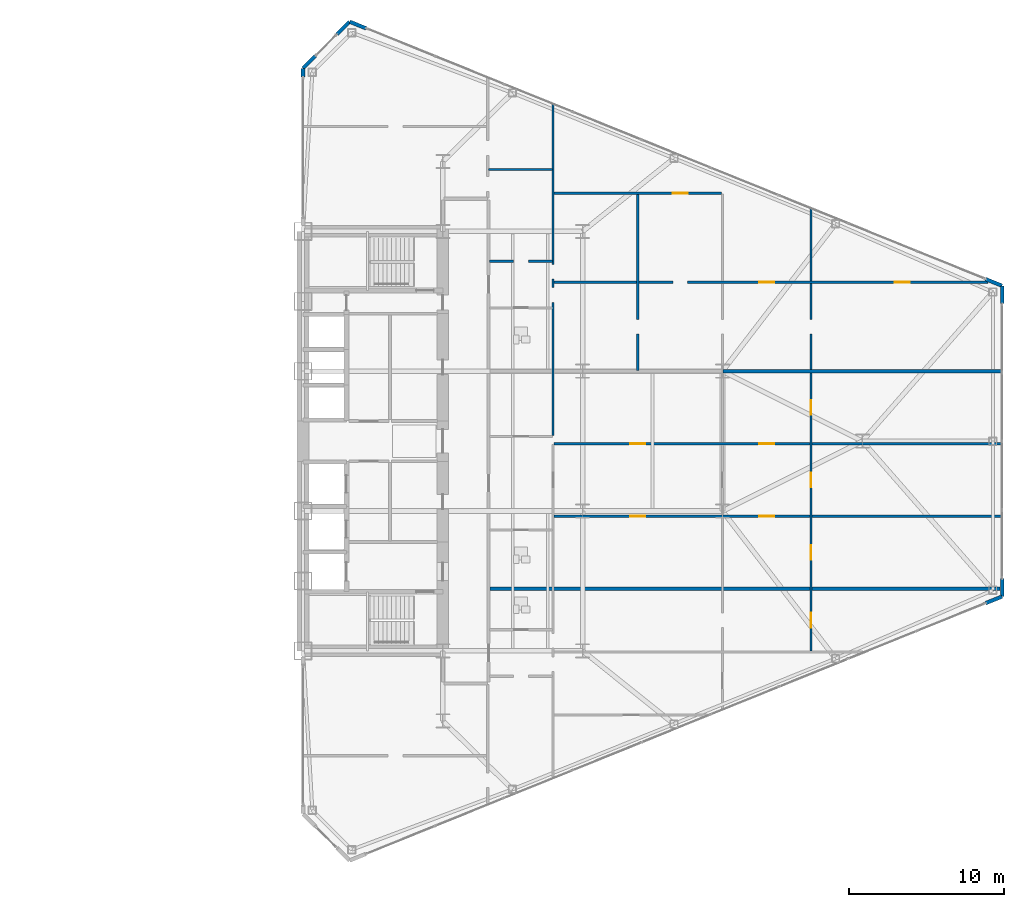
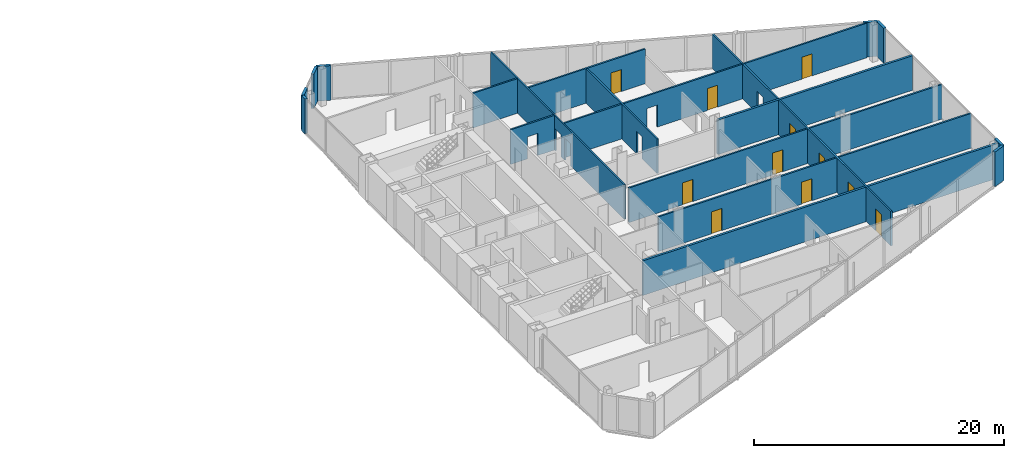
# One storey, part 22 of 25: 19 walls, 11 doors, 17 openings.
"""IFC4 building model written with IfcOpenShell, lengths in metres."""

from ifc_helpers import new_model, si_unit, direction, frame, frame_2d, origin, place, context, subcontext, project, spatial, rectangle, extrude, source, transform, mapped, material, layer, layer_set, type_object, type_shapes, element, fill, save


model = new_model("IFC4")

# Units and contexts
model_context = context("Model", 3, precision=1e-05, world=origin(), true_north=direction((0.0, 1.0)))
body_context = subcontext(model_context, "Body", "Model", "MODEL_VIEW")
ifc_project = project(units=[si_unit("LENGTHUNIT", "METRE"), si_unit("AREAUNIT", "SQUARE_METRE"), si_unit("VOLUMEUNIT", "CUBIC_METRE"), si_unit("PLANEANGLEUNIT", "RADIAN"), si_unit("MASSUNIT", "GRAM", prefix="KILO")], contexts=[model_context])

# Site, building, storey
site_placement = place(None, origin())
site = spatial("IfcSite", under=ifc_project, at=site_placement, CompositionType="ELEMENT")
building_placement = place(site_placement, origin())
building = spatial("IfcBuilding", under=site, at=building_placement, Name="Seokmaru Belvedere", CompositionType="ELEMENT")
storey_placement = place(building_placement, frame((0.0, 0.0, 22.5)))
storey = spatial("IfcBuildingStorey", under=building, at=storey_placement, Name="L05", CompositionType="ELEMENT", Elevation=22.5)

# Wall, openings, doors
ifc_material_1 = material(Name="Fire-Rated Gypsum Shaftwall")
ifc_layer_1 = layer(ifc_material_1, 0.14990234375)
ifc_layer_set_1 = layer_set([ifc_layer_1], Name="Fire-Rated Gypsum Shaftwall")
wall_type_1 = type_object("IfcWallType", Name="Apartment Fire-Acoustic Room Partition 150", PredefinedType="PARTITIONING", material=ifc_layer_set_1)
wall_1_placement = place(storey_placement, frame((43.64990234375, -4.830078125, 0.0), z_axis=(0.0, 0.0, 1.0), x_axis=(1.0, 0.0, 0.0)))
wall_1 = element("IfcWall", 1, at=wall_1_placement, inside=storey, type_object=wall_type_1, Name="L05 Interior Partition 016", PredefinedType="PARTITIONING", context=body_context, shape_type="SweptSolid", body=[
    extrude(rectangle(XDim=28.885009765625, YDim=0.14990234375, at=frame_2d((14.4423828125, 0.0))), origin(), (0.0, 0.0, 1.0), 3.3798828125),
])
opening_1_placement = place(wall_1_placement, frame((4.925048828125, 0.0, 0.0)))
opening_1 = element("IfcOpeningElement", 2, at=opening_1_placement, cuts=wall_1, Name="Opening D05", PredefinedType="OPENING", context=body_context, shape_type="SweptSolid", body=[
    extrude(rectangle(XDim=0.949951171875, YDim=2.14990234375, at=frame_2d((0.47509765625, 1.074951171875))), frame((0.0, 0.0849609375, 0.0), z_axis=(0.0, -1.0, 0.0), x_axis=(1.0, 0.0, 0.0)), (0.0, 0.0, 1.0), 0.169921875),
])
opening_2_placement = place(wall_1_placement, frame((13.22509765625, 0.0, 0.0)))
opening_2 = element("IfcOpeningElement", 3, at=opening_2_placement, cuts=wall_1, Name="Opening D05", PredefinedType="OPENING", context=body_context, shape_type="SweptSolid", body=[
    extrude(rectangle(XDim=0.949951171875, YDim=2.14990234375, at=frame_2d((0.47509765625, 1.074951171875))), frame((0.0, 0.0849609375, 0.0), z_axis=(0.0, -1.0, 0.0), x_axis=(1.0, 0.0, 0.0)), (0.0, 0.0, 1.0), 0.169921875),
])
ifc_material_2 = material(Name="Engineered White Oak Timber", Category="wood")
door_type = type_object("IfcDoorType", Name="Apartment Interior Fire-Rated Oak Door 950x2150", OperationType="NOTDEFINED", PredefinedType="DOOR", material=ifc_material_2)
shared_shape = source(origin(), body_context, "Body", "SweptSolid", [
    extrude(rectangle(XDim=0.949951171875, YDim=2.14990234375, at=frame_2d((0.47509765625, 1.074951171875))), frame((0.0, 0.02490234375, 0.0), z_axis=(0.0, -1.0, 0.0), x_axis=(1.0, 0.0, 0.0)), (0.0, 0.0, 1.0), 0.050048828125),
])
type_shapes(door_type, [shared_shape])
door_1_placement = place(opening_1_placement, origin())
door_1 = element("IfcDoor", 4, at=door_1_placement, inside=storey, type_object=door_type, Name="L05 Interior Door 058", OperationType="SINGLE_SWING_LEFT", OverallHeight=2.14990234375, OverallWidth=0.949951171875, PredefinedType="DOOR", context=body_context, shape_type="MappedRepresentation", body=[
    mapped(shared_shape, transform((0.0, 0.0, 0.0), scale=1.0)),
])
fill(opening_1, door_1)
door_2_placement = place(opening_2_placement, origin())
door_2 = element("IfcDoor", 5, at=door_2_placement, inside=storey, type_object=door_type, Name="L05 Interior Door 060", OperationType="SINGLE_SWING_RIGHT", OverallHeight=2.14990234375, OverallWidth=0.949951171875, PredefinedType="DOOR", context=body_context, shape_type="MappedRepresentation", body=[
    mapped(shared_shape, transform((0.0, 0.0, 0.0), scale=1.0)),
])
fill(opening_2, door_2)

wall_2_placement = place(storey_placement, frame((43.64990234375, -0.169921875, 0.0), z_axis=(0.0, 0.0, 1.0), x_axis=(1.0, 0.0, 0.0)))
wall_2 = element("IfcWall", 6, at=wall_2_placement, inside=storey, type_object=wall_type_1, Name="L05 Interior Partition 019", PredefinedType="PARTITIONING", context=body_context, shape_type="SweptSolid", body=[
    extrude(rectangle(XDim=28.885009765625, YDim=0.14990234375, at=frame_2d((14.4423828125, 0.0))), origin(), (0.0, 0.0, 1.0), 3.3798828125),
])
opening_3_placement = place(wall_2_placement, frame((4.925048828125, 0.0, 0.0)))
opening_3 = element("IfcOpeningElement", 7, at=opening_3_placement, cuts=wall_2, Name="Opening D05", PredefinedType="OPENING", context=body_context, shape_type="SweptSolid", body=[
    extrude(rectangle(XDim=0.949951171875, YDim=2.14990234375, at=frame_2d((0.47509765625, 1.074951171875))), frame((0.0, 0.0849609375, 0.0), z_axis=(0.0, -1.0, 0.0), x_axis=(1.0, 0.0, 0.0)), (0.0, 0.0, 1.0), 0.169921875),
])
opening_4_placement = place(wall_2_placement, frame((13.22509765625, 0.0, 0.0)))
opening_4 = element("IfcOpeningElement", 8, at=opening_4_placement, cuts=wall_2, Name="Opening D05", PredefinedType="OPENING", context=body_context, shape_type="SweptSolid", body=[
    extrude(rectangle(XDim=0.949951171875, YDim=2.14990234375, at=frame_2d((0.47509765625, 1.074951171875))), frame((0.0, 0.0849609375, 0.0), z_axis=(0.0, -1.0, 0.0), x_axis=(1.0, 0.0, 0.0)), (0.0, 0.0, 1.0), 0.169921875),
])
door_3_placement = place(opening_3_placement, origin())
door_3 = element("IfcDoor", 9, at=door_3_placement, inside=storey, type_object=door_type, Name="L05 Interior Door 059", OperationType="SINGLE_SWING_RIGHT", OverallHeight=2.14990234375, OverallWidth=0.949951171875, PredefinedType="DOOR", context=body_context, shape_type="MappedRepresentation", body=[
    mapped(shared_shape, transform((0.0, 0.0, 0.0), scale=1.0)),
])
fill(opening_3, door_3)
door_4_placement = place(opening_4_placement, origin())
door_4 = element("IfcDoor", 10, at=door_4_placement, inside=storey, type_object=door_type, Name="L05 Interior Door 063", OperationType="SINGLE_SWING_RIGHT", OverallHeight=2.14990234375, OverallWidth=0.949951171875, PredefinedType="DOOR", context=body_context, shape_type="MappedRepresentation", body=[
    mapped(shared_shape, transform((0.0, 0.0, 0.0), scale=1.0)),
])
fill(opening_4, door_4)

wall_3_placement = place(storey_placement, frame((43.64990234375, 10.22998046875, 0.0), z_axis=(0.0, 0.0, 1.0), x_axis=(1.0, 0.0, 0.0)))
wall_3 = element("IfcWall", 11, at=wall_3_placement, inside=storey, type_object=wall_type_1, Name="L05 Interior Partition 027", PredefinedType="PARTITIONING", context=body_context, shape_type="SweptSolid", body=[
    extrude(rectangle(XDim=27.94873046875, YDim=0.14990234375, at=frame_2d((13.974365234375, 0.0))), origin(), (0.0, 0.0, 1.0), 3.3798828125),
])
opening_5_placement = place(wall_3_placement, frame((21.937744140625, 0.0, 0.0)))
opening_5 = element("IfcOpeningElement", 12, at=opening_5_placement, cuts=wall_3, Name="Opening D05", PredefinedType="OPENING", context=body_context, shape_type="SweptSolid", body=[
    extrude(rectangle(XDim=0.949951171875, YDim=2.14990234375, at=frame_2d((0.47509765625, 1.074951171875))), frame((0.0, 0.0849609375, 0.0), z_axis=(0.0, -1.0, 0.0), x_axis=(1.0, 0.0, 0.0)), (0.0, 0.0, 1.0), 0.169921875),
])
opening_6_placement = place(wall_3_placement, frame((13.22509765625, 0.0, 0.0)))
opening_6 = element("IfcOpeningElement", 13, at=opening_6_placement, cuts=wall_3, Name="Opening D05", PredefinedType="OPENING", context=body_context, shape_type="SweptSolid", body=[
    extrude(rectangle(XDim=0.949951171875, YDim=2.14990234375, at=frame_2d((0.47509765625, 1.074951171875))), frame((0.0, 0.0849609375, 0.0), z_axis=(0.0, -1.0, 0.0), x_axis=(1.0, 0.0, 0.0)), (0.0, 0.0, 1.0), 0.169921875),
])
opening_7_placement = place(wall_3_placement, frame((7.64990234375, 0.0, 0.0)))
element("IfcOpeningElement", 14, at=opening_7_placement, cuts=wall_3, Name="L05 Cased Opening 075", PredefinedType="OPENING", context=body_context, shape_type="SweptSolid", body=[
    extrude(rectangle(XDim=0.949951171875, YDim=2.14990234375, at=frame_2d((0.47509765625, 1.074951171875))), frame((0.0, 0.0849609375, 0.0), z_axis=(0.0, -1.0, 0.0), x_axis=(1.0, 0.0, 0.0)), (0.0, 0.0, 1.0), 0.169921875),
])
door_5_placement = place(opening_5_placement, origin())
door_5 = element("IfcDoor", 15, at=door_5_placement, inside=storey, type_object=door_type, Name="L05 Interior Door 073", OperationType="SINGLE_SWING_RIGHT", OverallHeight=2.14990234375, OverallWidth=0.949951171875, PredefinedType="DOOR", context=body_context, shape_type="MappedRepresentation", body=[
    mapped(shared_shape, transform((0.0, 0.0, 0.0), scale=1.0)),
])
fill(opening_5, door_5)
door_6_placement = place(opening_6_placement, origin())
door_6 = element("IfcDoor", 16, at=door_6_placement, inside=storey, type_object=door_type, Name="L05 Interior Door 074", OperationType="SINGLE_SWING_RIGHT", OverallHeight=2.14990234375, OverallWidth=0.949951171875, PredefinedType="DOOR", context=body_context, shape_type="MappedRepresentation", body=[
    mapped(shared_shape, transform((0.0, 0.0, 0.0), scale=1.0)),
])
fill(opening_6, door_6)

# Wall, opening
wall_4_placement = place(storey_placement, frame((39.5, 11.580078125, 0.0), z_axis=(0.0, 0.0, 1.0), x_axis=(1.0, 0.0, 0.0)))
wall_4 = element("IfcWall", 17, at=wall_4_placement, inside=storey, type_object=wall_type_1, Name="L05 Interior Partition 028", PredefinedType="PARTITIONING", context=body_context, shape_type="SweptSolid", body=[
    extrude(rectangle(XDim=4.050048828125, YDim=0.14990234375, at=frame_2d((2.02490234375, 0.0))), origin(), (0.0, 0.0, 1.0), 3.3798828125),
])
opening_8_placement = place(wall_4_placement, frame((1.550048828125, 0.0, 0.0)))
element("IfcOpeningElement", 18, at=opening_8_placement, cuts=wall_4, Name="L05 Cased Opening 067", PredefinedType="OPENING", context=body_context, shape_type="SweptSolid", body=[
    extrude(rectangle(XDim=0.949951171875, YDim=2.14990234375, at=frame_2d((0.47509765625, 1.074951171875))), frame((0.0, 0.0849609375, 0.0), z_axis=(0.0, -1.0, 0.0), x_axis=(1.0, 0.0, 0.0)), (0.0, 0.0, 1.0), 0.169921875),
])

# Wall, opening, door
wall_5_placement = place(storey_placement, frame((43.64990234375, 15.9599609375, 0.0), z_axis=(0.0, 0.0, 1.0), x_axis=(1.0, 0.0, 0.0)))
wall_5 = element("IfcWall", 19, at=wall_5_placement, inside=storey, type_object=wall_type_1, Name="L05 Interior Partition 033", PredefinedType="PARTITIONING", context=body_context, shape_type="SweptSolid", body=[
    extrude(rectangle(XDim=10.800048828125, YDim=0.14990234375, at=frame_2d((5.39990234375, 0.0))), origin(), (0.0, 0.0, 1.0), 3.3798828125),
])
opening_9_placement = place(wall_5_placement, frame((7.64990234375, 0.0, 0.0)))
opening_9 = element("IfcOpeningElement", 20, at=opening_9_placement, cuts=wall_5, Name="Opening D05", PredefinedType="OPENING", context=body_context, shape_type="SweptSolid", body=[
    extrude(rectangle(XDim=0.949951171875, YDim=2.14990234375, at=frame_2d((0.47509765625, 1.074951171875))), frame((0.0, 0.0849609375, 0.0), z_axis=(0.0, -1.0, 0.0), x_axis=(1.0, 0.0, 0.0)), (0.0, 0.0, 1.0), 0.169921875),
])
door_7_placement = place(opening_9_placement, origin())
door_7 = element("IfcDoor", 21, at=door_7_placement, inside=storey, type_object=door_type, Name="L05 Interior Door 076", OperationType="SINGLE_SWING_RIGHT", OverallHeight=2.14990234375, OverallWidth=0.949951171875, PredefinedType="DOOR", context=body_context, shape_type="MappedRepresentation", body=[
    mapped(shared_shape, transform((0.0, 0.0, 0.0), scale=1.0)),
])
fill(opening_9, door_7)

# Wall
wall_6_placement = place(storey_placement, frame((39.449951171875, 17.489990234375, 0.0), z_axis=(0.0, 0.0, 1.0), x_axis=(1.0, 0.0, 0.0)))
element("IfcWall", 22, at=wall_6_placement, inside=storey, type_object=wall_type_1, Name="L05 Interior Partition 035", PredefinedType="PARTITIONING", context=body_context, shape_type="SweptSolid", body=[
    extrude(rectangle(XDim=4.10009765625, YDim=0.14990234375, at=frame_2d((2.050048828125, 0.0))), origin(), (0.0, 0.0, 1.0), 3.3798828125),
])

# Wall, opening
wall_7_placement = place(storey_placement, frame((49.050048828125, 4.550048828125, 0.0), z_axis=(0.0, 0.0, 1.0), x_axis=(0.0, 1.0, 0.0)))
wall_7 = element("IfcWall", 23, at=wall_7_placement, inside=storey, type_object=wall_type_1, Name="L05 Interior Partition 057", PredefinedType="PARTITIONING", context=body_context, shape_type="SweptSolid", body=[
    extrude(rectangle(XDim=11.364990234375, YDim=0.14990234375, at=frame_2d((5.6826171875, 0.0))), origin(), (0.0, 0.0, 1.0), 3.3798828125),
])
opening_10_placement = place(wall_7_placement, frame((2.34130859375, 0.0, 0.0)))
element("IfcOpeningElement", 24, at=opening_10_placement, cuts=wall_7, Name="L05 Cased Opening 070", PredefinedType="OPENING", context=body_context, shape_type="SweptSolid", body=[
    extrude(rectangle(XDim=0.949951171875, YDim=2.14990234375, at=frame_2d((0.47509765625, 1.074951171875))), frame((0.0, 0.0849609375, 0.0), z_axis=(0.0, -1.0, 0.0), x_axis=(1.0, 0.0, 0.0)), (0.0, 0.0, 1.0), 0.169921875),
])

# Wall, openings, doors
wall_8_placement = place(storey_placement, frame((60.199951171875, -13.51611328125, 0.0), z_axis=(0.0, 0.0, 1.0), x_axis=(0.0, 1.0, 0.0)))
wall_8 = element("IfcWall", 25, at=wall_8_placement, inside=storey, type_object=wall_type_1, Name="L05 Interior Partition 059", PredefinedType="PARTITIONING", context=body_context, shape_type="SweptSolid", body=[
    extrude(rectangle(XDim=28.530029296875, YDim=0.14990234375, at=frame_2d((14.26513671875, 0.0))), origin(), (0.0, 0.0, 1.0), 3.3798828125),
])
opening_11_placement = place(wall_8_placement, frame((1.508056640625, 0.0, 0.0)))
opening_11 = element("IfcOpeningElement", 26, at=opening_11_placement, cuts=wall_8, Name="Opening D05", PredefinedType="OPENING", context=body_context, shape_type="SweptSolid", body=[
    extrude(rectangle(XDim=0.949951171875, YDim=2.14990234375, at=frame_2d((0.47509765625, 1.074951171875))), frame((0.0, 0.0849609375, 0.0), z_axis=(0.0, -1.0, 0.0), x_axis=(1.0, 0.0, 0.0)), (0.0, 0.0, 1.0), 0.169921875),
])
opening_12_placement = place(wall_8_placement, frame((5.87451171875, 0.0, 0.0)))
opening_12 = element("IfcOpeningElement", 27, at=opening_12_placement, cuts=wall_8, Name="Opening D05", PredefinedType="OPENING", context=body_context, shape_type="SweptSolid", body=[
    extrude(rectangle(XDim=0.949951171875, YDim=2.14990234375, at=frame_2d((0.47509765625, 1.074951171875))), frame((0.0, 0.0849609375, 0.0), z_axis=(0.0, -1.0, 0.0), x_axis=(1.0, 0.0, 0.0)), (0.0, 0.0, 1.0), 0.169921875),
])
opening_13_placement = place(wall_8_placement, frame((10.541015625, 0.0, 0.0)))
opening_13 = element("IfcOpeningElement", 28, at=opening_13_placement, cuts=wall_8, Name="Opening D05", PredefinedType="OPENING", context=body_context, shape_type="SweptSolid", body=[
    extrude(rectangle(XDim=0.949951171875, YDim=2.14990234375, at=frame_2d((0.47509765625, 1.074951171875))), frame((0.0, 0.0849609375, 0.0), z_axis=(0.0, -1.0, 0.0), x_axis=(1.0, 0.0, 0.0)), (0.0, 0.0, 1.0), 0.169921875),
])
opening_14_placement = place(wall_8_placement, frame((15.20751953125, 0.0, 0.0)))
opening_14 = element("IfcOpeningElement", 29, at=opening_14_placement, cuts=wall_8, Name="Opening D05", PredefinedType="OPENING", context=body_context, shape_type="SweptSolid", body=[
    extrude(rectangle(XDim=0.949951171875, YDim=2.14990234375, at=frame_2d((0.47509765625, 1.074951171875))), frame((0.0, 0.0849609375, 0.0), z_axis=(0.0, -1.0, 0.0), x_axis=(1.0, 0.0, 0.0)), (0.0, 0.0, 1.0), 0.169921875),
])
opening_15_placement = place(wall_8_placement, frame((20.4072265625, 0.0, 0.0)))
element("IfcOpeningElement", 30, at=opening_15_placement, cuts=wall_8, Name="L05 Cased Opening 072", PredefinedType="OPENING", context=body_context, shape_type="SweptSolid", body=[
    extrude(rectangle(XDim=0.949951171875, YDim=2.14990234375, at=frame_2d((0.47509765625, 1.074951171875))), frame((0.0, 0.0849609375, 0.0), z_axis=(0.0, -1.0, 0.0), x_axis=(1.0, 0.0, 0.0)), (0.0, 0.0, 1.0), 0.169921875),
])
door_8_placement = place(opening_11_placement, origin())
door_8 = element("IfcDoor", 31, at=door_8_placement, inside=storey, type_object=door_type, Name="L05 Interior Door 050", OperationType="SINGLE_SWING_LEFT", OverallHeight=2.14990234375, OverallWidth=0.949951171875, PredefinedType="DOOR", context=body_context, shape_type="MappedRepresentation", body=[
    mapped(shared_shape, transform((0.0, 0.0, 0.0), scale=1.0)),
])
fill(opening_11, door_8)
door_9_placement = place(opening_12_placement, origin())
door_9 = element("IfcDoor", 32, at=door_9_placement, inside=storey, type_object=door_type, Name="L05 Interior Door 061", OperationType="SINGLE_SWING_LEFT", OverallHeight=2.14990234375, OverallWidth=0.949951171875, PredefinedType="DOOR", context=body_context, shape_type="MappedRepresentation", body=[
    mapped(shared_shape, transform((0.0, 0.0, 0.0), scale=1.0)),
])
fill(opening_12, door_9)
door_10_placement = place(opening_13_placement, origin())
door_10 = element("IfcDoor", 33, at=door_10_placement, inside=storey, type_object=door_type, Name="L05 Interior Door 062", OperationType="SINGLE_SWING_LEFT", OverallHeight=2.14990234375, OverallWidth=0.949951171875, PredefinedType="DOOR", context=body_context, shape_type="MappedRepresentation", body=[
    mapped(shared_shape, transform((0.0, 0.0, 0.0), scale=1.0)),
])
fill(opening_13, door_10)
door_11_placement = place(opening_14_placement, origin())
door_11 = element("IfcDoor", 34, at=door_11_placement, inside=storey, type_object=door_type, Name="L05 Interior Door 064", OperationType="SINGLE_SWING_LEFT", OverallHeight=2.14990234375, OverallWidth=0.949951171875, PredefinedType="DOOR", context=body_context, shape_type="MappedRepresentation", body=[
    mapped(shared_shape, transform((0.0, 0.0, 0.0), scale=1.0)),
])
fill(opening_14, door_11)

# Walls
ifc_layer_2 = layer(ifc_material_1, 0.199951171875)
ifc_layer_set_2 = layer_set([ifc_layer_2], Name="Fire-Rated Gypsum Shaftwall")
wall_type_2 = type_object("IfcWallType", Name="Inter-Tenancy Fire Compartment Partition 200", PredefinedType="PARTITIONING", material=ifc_layer_set_2)
wall_9_placement = place(storey_placement, frame((39.530029296875, -9.5, 0.0), z_axis=(0.0, 0.0, 1.0), x_axis=(1.0, 0.0, 0.0)))
element("IfcWall", 35, at=wall_9_placement, inside=storey, type_object=wall_type_2, Name="L05 Interior Partition 013", PredefinedType="PARTITIONING", context=body_context, shape_type="SweptSolid", body=[
    extrude(rectangle(XDim=32.844970703125, YDim=0.199951171875, at=frame_2d((16.42236328125, 0.0))), origin(), (0.0, 0.0, 1.0), 3.3798828125),
])
wall_10_placement = place(storey_placement, frame((54.52001953125, 4.5, 0.0), z_axis=(0.0, 0.0, 1.0), x_axis=(1.0, 0.0, 0.0)))
element("IfcWall", 36, at=wall_10_placement, inside=storey, type_object=wall_type_2, Name="L05 Interior Partition 023 Part 2", PredefinedType="PARTITIONING", context=body_context, shape_type="SweptSolid", body=[
    extrude(rectangle(XDim=17.98486328125, YDim=0.199951171875, at=frame_2d((8.992431640625, 0.0))), origin(), (0.0, 0.0, 1.0), 3.3798828125),
])

# Wall, openings
ifc_layer_3 = layer(ifc_material_1, 0.1298828125)
ifc_layer_set_3 = layer_set([ifc_layer_3], Name="Fire-Rated Gypsum Shaftwall")
wall_type_3 = type_object("IfcWallType", Name="Moisture-Resistant Fire-Rated Bathroom Partition 130", PredefinedType="PARTITIONING", material=ifc_layer_set_3)
wall_11_placement = place(storey_placement, frame((43.60009765625, 0.35205078125, 0.0), z_axis=(0.0, 0.0, 1.0), x_axis=(0.0, 1.0, 0.0)))
wall_11 = element("IfcWall", 37, at=wall_11_placement, inside=storey, type_object=wall_type_3, Name="L05 Interior Partition 056", PredefinedType="PARTITIONING", context=body_context, shape_type="SweptSolid", body=[
    extrude(rectangle(XDim=21.380859375, YDim=0.1298828125, at=frame_2d((10.6904296875, 0.0))), origin(), (0.0, 0.0, 1.0), 3.3798828125),
])
opening_16_placement = place(wall_11_placement, frame((8.577880859375, 0.0, 0.0)))
element("IfcOpeningElement", 38, at=opening_16_placement, cuts=wall_11, Name="L05 Cased Opening 068", PredefinedType="OPENING", context=body_context, shape_type="SweptSolid", body=[
    extrude(rectangle(XDim=0.949951171875, YDim=2.14990234375, at=frame_2d((0.47509765625, 1.074951171875))), frame((0.0, 0.074951171875, 0.0), z_axis=(0.0, -1.0, 0.0), x_axis=(1.0, 0.0, 0.0)), (0.0, 0.0, 1.0), 0.14990234375),
])
opening_17_placement = place(wall_11_placement, frame((10.077880859375, 0.0, 0.0)))
element("IfcOpeningElement", 39, at=opening_17_placement, cuts=wall_11, Name="L05 Cased Opening 069", PredefinedType="OPENING", context=body_context, shape_type="SweptSolid", body=[
    extrude(rectangle(XDim=0.949951171875, YDim=2.14990234375, at=frame_2d((0.47509765625, 1.074951171875))), frame((0.0, 0.074951171875, 0.0), z_axis=(0.0, -1.0, 0.0), x_axis=(1.0, 0.0, 0.0)), (0.0, 0.0, 1.0), 0.14990234375),
])

# Walls
ifc_material_3 = material(Name="Anodised Bronze Aluminium", Category="aluminium")
ifc_layer_4 = layer(ifc_material_3, 0.239990234375)
ifc_layer_set_4 = layer_set([ifc_layer_4], Name="Anodised Bronze Aluminium")
wall_type_4 = type_object("IfcWallType", Name="Tower Corner Spandrel Closure Wall 240", PredefinedType="SOLIDWALL", material=ifc_layer_set_4)
for number, where, z_axis, x_axis, name in (
    (40, (71.43408203125, -10.431396484375, 0.0), (0.0, 0.0, 1.0), (0.927007103665, 0.375043770452, 0.0), "L05 E Corner Closure Pier 1B"),
    (41, (72.5, -9.989990234375, 0.0), (0.0, 0.0, 1.0), (0.0, 1.0, 0.0), "L05 E Corner Closure Pier 2A"),
    (42, (72.5, 8.85009765625, 0.0), (0.0, 0.0, 1.0), (0.0, 1.0, 0.0), "L05 E Corner Closure Pier 2B"),
    (43, (72.49072265625, 10.00390625, 0.0), (0.0, 0.0, 1.0), (-0.927007103665, 0.375043770452, 0.0), "L05 E Corner Closure Pier 3A"),
    (44, (31.56591796875, 26.568603515625, 0.0), (0.0, 0.0, 1.0), (-0.927007103665, 0.375043770452, 0.0), "L05 E Corner Closure Pier 3B"),
):
    element("IfcWall", number, at=place(storey_placement, frame(where, z_axis=z_axis, x_axis=x_axis)), inside=storey, type_object=wall_type_4, Name=name, PredefinedType="SOLIDWALL", context=body_context, shape_type="SweptSolid", body=[
        extrude(rectangle(XDim=1.139892578125, YDim=0.239990234375, at=frame_2d((0.56982421875, 0.0))), origin(), (0.0, 0.0, 1.0), 3.3798828125),
    ])
for number, where, z_axis, x_axis, name in (
    (45, (30.492919921875, 26.992919921875, 0.0), (0.0, 0.0, 1.0), (-0.707106781187, -0.707106781187, 0.0), "L05 E Corner Closure Pier 4A"),
    (46, (28.313232421875, 24.813232421875, 0.0), (0.0, 0.0, 1.0), (-0.707106781187, -0.707106781187, 0.0), "L05 E Corner Closure Pier 4B"),
):
    element("IfcWall", number, at=place(storey_placement, frame(where, z_axis=z_axis, x_axis=x_axis)), inside=storey, type_object=wall_type_4, Name=name, PredefinedType="SOLIDWALL", context=body_context, shape_type="SweptSolid", body=[
        extrude(rectangle(XDim=1.14013671875, YDim=0.239990234375, at=frame_2d((0.570068359375, 0.0))), origin(), (0.0, 0.0, 1.0), 3.3798828125),
    ])
wall_12_placement = place(storey_placement, frame((27.5, 23.429931640625, 0.0), z_axis=(0.0, 0.0, 1.0), x_axis=(0.0, 1.0, 0.0)))
element("IfcWall", 47, at=wall_12_placement, inside=storey, type_object=wall_type_4, Name="L05 E Spine Closure Pier 2B", PredefinedType="SOLIDWALL", context=body_context, shape_type="SweptSolid", body=[
    extrude(rectangle(XDim=0.550048828125, YDim=0.239990234375, at=frame_2d((0.27490234375, 0.0))), origin(), (0.0, 0.0, 1.0), 3.3798828125),
])

save(model, "model.ifc")
